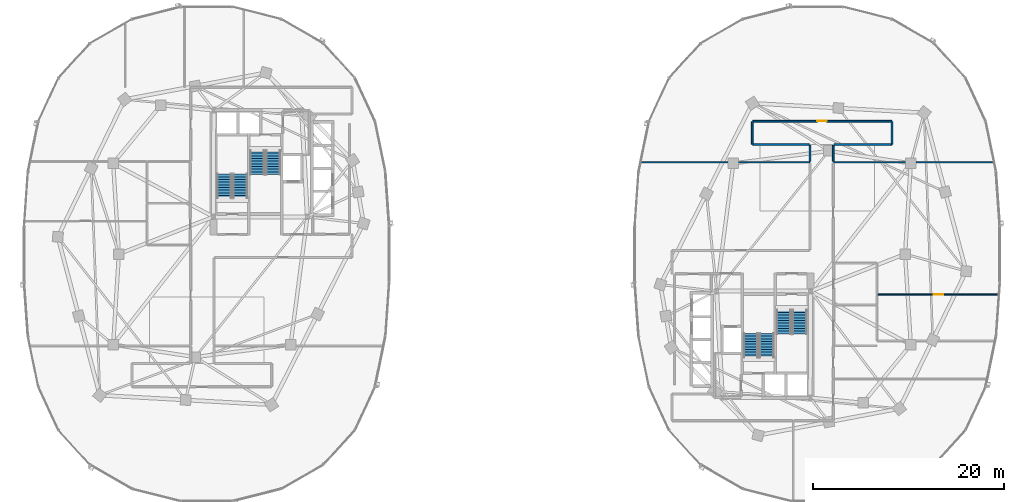
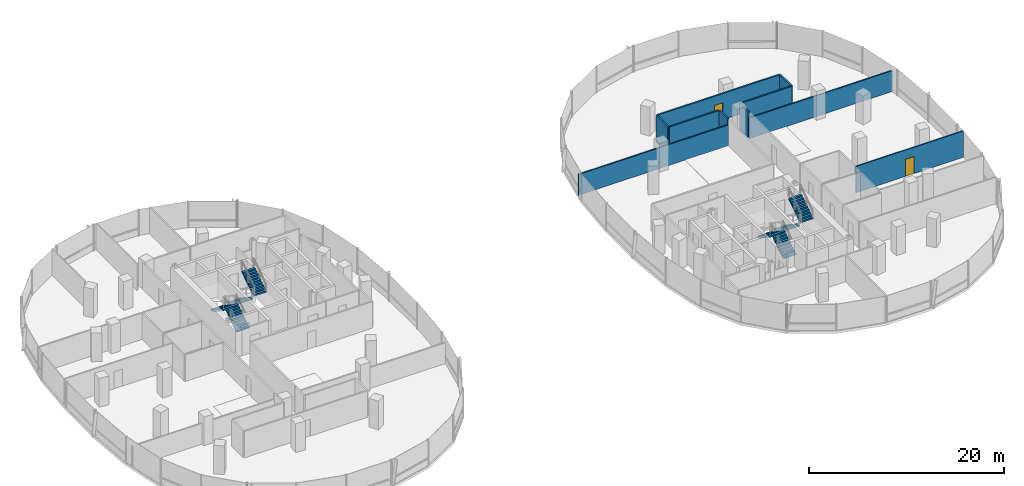
# One storey, part 14 of 21: 10 walls, 8 stair flights, 2 doors, 2 openings, 4 elements without a shape of their own.
"""IFC4 building model written with IfcOpenShell, lengths in metres."""

from ifc_helpers import new_model, si_unit, direction, frame, frame_2d, origin, place, context, subcontext, project, spatial, polyline, rectangle, outline, extrude, material, layer, layer_set, type_object, element, fill, aggregate, save


model = new_model("IFC4")

# Units and contexts
model_context = context("Model", 3, precision=1e-05, world=origin(), true_north=direction((0.0, 1.0)))
body_context = subcontext(model_context, "Body", "Model", "MODEL_VIEW")
ifc_project = project(units=[si_unit("LENGTHUNIT", "METRE"), si_unit("AREAUNIT", "SQUARE_METRE"), si_unit("VOLUMEUNIT", "CUBIC_METRE"), si_unit("PLANEANGLEUNIT", "RADIAN"), si_unit("MASSUNIT", "GRAM", prefix="KILO"), si_unit("THERMODYNAMICTEMPERATUREUNIT", "KELVIN"), si_unit("POWERUNIT", "WATT")], contexts=[model_context])

# Site, building, storey
site_placement = place(None, origin())
site = spatial("IfcSite", under=ifc_project, at=site_placement, CompositionType="ELEMENT")
building_placement = place(site_placement, origin())
building = spatial("IfcBuilding", under=site, at=building_placement, Name="Cundina Bronze Exchange", CompositionType="ELEMENT")
storey_placement = place(building_placement, frame((0.0, 0.0, 92.60009765625)))
storey = spatial("IfcBuildingStorey", under=building, at=storey_placement, Name="L23", CompositionType="ELEMENT", Elevation=92.60009765625)

# Wall, opening, door
ifc_material_1 = material(Name="Gypsum Fireboard Partition EI120")
ifc_layer_1 = layer(ifc_material_1, 0.179931640625, Name="Gypsum Fireboard Partition EI120")
ifc_layer_set_1 = layer_set([ifc_layer_1], Name="Gypsum Fireboard Partition EI120")
wall_type_1 = type_object("IfcWallType", Name="WL-COR-180", PredefinedType="PARTITIONING", material=ifc_layer_set_1)
wall_1_placement = place(storey_placement, frame((39.778564453125, 13.919921875, 0.0), z_axis=(0.0, 0.0, 1.0), x_axis=(-1.0, 0.0, 0.0)))
wall_1 = element("IfcWall", 1, at=wall_1_placement, inside=storey, type_object=wall_type_1, Name="L23 Interior Partition 067", PredefinedType="PARTITIONING", context=body_context, shape_type="SweptSolid", body=[
    extrude(rectangle(XDim=14.55712890625, YDim=0.179931640625, at=frame_2d((7.278564453125, 0.0))), origin(), (0.0, 0.0, 1.0), 3.2998046875),
])
opening_1_placement = place(wall_1_placement, frame((6.778564453125, 0.0, 0.0)))
opening_1 = element("IfcOpeningElement", 2, at=opening_1_placement, cuts=wall_1, Name="Opening DO-01", PredefinedType="OPENING", context=body_context, shape_type="SweptSolid", body=[
    extrude(rectangle(XDim=1.0, YDim=2.14990234375, at=frame_2d((0.5, 1.074951171875))), frame((0.0, 0.099853515625, 0.0), z_axis=(0.0, -1.0, 0.0), x_axis=(1.0, 0.0, 0.0)), (0.0, 0.0, 1.0), 0.199951171875),
])
ifc_material_2 = material(Name="Solid Andean Oak Timber Grade A", Category="wood")
door_type = type_object("IfcDoorType", Name="DR-OFF-1000", OperationType="NOTDEFINED", PredefinedType="DOOR", material=ifc_material_2)
door_1_placement = place(opening_1_placement, origin())
door_1 = element("IfcDoor", 3, at=door_1_placement, inside=storey, type_object=door_type, Name="L23 Interior Door 067", OperationType="SINGLE_SWING_LEFT", OverallHeight=2.14990234375, OverallWidth=1.0, PredefinedType="DOOR", context=body_context, shape_type="SweptSolid", body=[
    extrude(rectangle(XDim=1.0, YDim=2.14990234375, at=frame_2d((0.5, 1.074951171875))), frame((0.0, 0.02490234375, 0.0), z_axis=(0.0, -1.0, 0.0), x_axis=(1.0, 0.0, 0.0)), (0.0, 0.0, 1.0), 0.050048828125),
])
fill(opening_1, door_1)

# Walls
wall_2_placement = place(storey_placement, frame((33.75, 11.47998046875, 0.0), z_axis=(0.0, 0.0, 1.0), x_axis=(1.0, 0.0, 0.0)))
element("IfcWall", 4, at=wall_2_placement, inside=storey, type_object=wall_type_1, Name="L23 Interior Partition 068", PredefinedType="PARTITIONING", context=body_context, shape_type="SweptSolid", body=[
    extrude(rectangle(XDim=6.028564453125, YDim=0.179931640625, at=frame_2d((3.01416015625, 0.0))), origin(), (0.0, 0.0, 1.0), 3.2998046875),
])
wall_3_placement = place(storey_placement, frame((25.221435546875, 11.47998046875, 0.0), z_axis=(0.0, 0.0, 1.0), x_axis=(1.0, 0.0, 0.0)))
element("IfcWall", 5, at=wall_3_placement, inside=storey, type_object=wall_type_1, Name="L23 Interior Partition 069", PredefinedType="PARTITIONING", context=body_context, shape_type="SweptSolid", body=[
    extrude(rectangle(XDim=5.928466796875, YDim=0.179931640625, at=frame_2d((2.96435546875, 0.0))), origin(), (0.0, 0.0, 1.0), 3.2998046875),
])
for number, where, z_axis, x_axis, name in (
    (6, (39.820068359375, 11.521484375, 0.0), (0.0, 0.0, 1.0), (0.0, 1.0, 0.0), "L23 Interior Partition 070"),
    (7, (25.179931640625, 13.87841796875, 0.0), (0.0, 0.0, 1.0), (0.0, -1.0, 0.0), "L23 Interior Partition 071"),
):
    element("IfcWall", number, at=place(storey_placement, frame(where, z_axis=z_axis, x_axis=x_axis)), inside=storey, type_object=wall_type_1, Name=name, PredefinedType="PARTITIONING", context=body_context, shape_type="SweptSolid", body=[
        extrude(rectangle(XDim=2.35693359375, YDim=0.179931640625, at=frame_2d((1.178466796875, 0.0))), origin(), (0.0, 0.0, 1.0), 3.2998046875),
    ])
for number, where, z_axis, x_axis, name in (
    (8, (33.669921875, 9.7099609375, 0.0), (0.0, 0.0, 1.0), (0.0, 1.0, 0.0), "L23 Interior Partition 072"),
    (9, (31.22998046875, 11.39990234375, 0.0), (0.0, 0.0, 1.0), (0.0, -1.0, 0.0), "L23 Interior Partition 073"),
):
    element("IfcWall", number, at=place(storey_placement, frame(where, z_axis=z_axis, x_axis=x_axis)), inside=storey, type_object=wall_type_1, Name=name, PredefinedType="PARTITIONING", context=body_context, shape_type="SweptSolid", body=[
        extrude(rectangle(XDim=1.68994140625, YDim=0.179931640625, at=frame_2d((0.844970703125, 0.0))), origin(), (0.0, 0.0, 1.0), 3.2998046875),
    ])

# Wall, opening, door
ifc_material_3 = material(Name="Gypsum Acoustic Partition EI60")
ifc_layer_2 = layer(ifc_material_3, 0.125, Name="Gypsum Acoustic Partition EI60")
ifc_layer_set_2 = layer_set([ifc_layer_2], Name="Gypsum Acoustic Partition EI60")
wall_type_2 = type_object("IfcWallType", Name="WL-OFF-125", PredefinedType="PARTITIONING", material=ifc_layer_set_2)
wall_4_placement = place(storey_placement, frame((38.320068359375, -4.25, 0.0), z_axis=(0.0, 0.0, 1.0), x_axis=(1.0, 0.0, 0.0)))
wall_4 = element("IfcWall", 10, at=wall_4_placement, inside=storey, type_object=wall_type_2, Name="L23 Interior Partition 074", PredefinedType="PARTITIONING", context=body_context, shape_type="SweptSolid", body=[
    extrude(rectangle(XDim=12.736572265625, YDim=0.125, at=frame_2d((6.3681640625, 0.0))), origin(), (0.0, 0.0, 1.0), 3.2998046875),
])
opening_2_placement = place(wall_4_placement, frame((5.868408203125, 0.0, 0.0)))
opening_2 = element("IfcOpeningElement", 11, at=opening_2_placement, cuts=wall_4, Name="Opening DO-01", PredefinedType="OPENING", context=body_context, shape_type="SweptSolid", body=[
    extrude(rectangle(XDim=1.0, YDim=2.14990234375, at=frame_2d((0.5, 1.074951171875))), frame((0.0, 0.072509765625, 0.0), z_axis=(0.0, -1.0, 0.0), x_axis=(1.0, 0.0, 0.0)), (0.0, 0.0, 1.0), 0.14501953125),
])
door_2_placement = place(opening_2_placement, origin())
door_2 = element("IfcDoor", 12, at=door_2_placement, inside=storey, type_object=door_type, Name="L23 Interior Door 074", OperationType="SINGLE_SWING_LEFT", OverallHeight=2.14990234375, OverallWidth=1.0, PredefinedType="DOOR", context=body_context, shape_type="SweptSolid", body=[
    extrude(rectangle(XDim=1.0, YDim=2.14990234375, at=frame_2d((0.5, 1.074951171875))), frame((0.0, 0.02490234375, 0.0), z_axis=(0.0, -1.0, 0.0), x_axis=(1.0, 0.0, 0.0)), (0.0, 0.0, 1.0), 0.050048828125),
])
fill(opening_2, door_2)

# Walls
ifc_layer_3 = layer(ifc_material_3, 0.14990234375, Name="Gypsum Acoustic Partition EI60")
ifc_layer_set_3 = layer_set([ifc_layer_3], Name="Gypsum Acoustic Partition EI60")
wall_type_3 = type_object("IfcWallType", Name="WL-TEN-150", PredefinedType="PARTITIONING", material=ifc_layer_set_3)
wall_5_placement = place(storey_placement, frame((13.39453125, 9.6201171875, 0.0), z_axis=(0.0, 0.0, 1.0), x_axis=(1.0, 0.0, 0.0)))
element("IfcWall", 13, at=wall_5_placement, inside=storey, type_object=wall_type_3, Name="L23 Interior Partition 052", PredefinedType="PARTITIONING", context=body_context, shape_type="SweptSolid", body=[
    extrude(rectangle(XDim=17.805419921875, YDim=0.14990234375, at=frame_2d((8.90283203125, 0.0))), origin(), (0.0, 0.0, 1.0), 2.60498046875),
])
wall_6_placement = place(storey_placement, frame((33.699951171875, 9.6201171875, 0.0), z_axis=(0.0, 0.0, 1.0), x_axis=(1.0, 0.0, 0.0)))
element("IfcWall", 14, at=wall_6_placement, inside=storey, type_object=wall_type_3, Name="L23 Interior Partition 053", PredefinedType="PARTITIONING", context=body_context, shape_type="SweptSolid", body=[
    extrude(rectangle(XDim=16.905517578125, YDim=0.14990234375, at=frame_2d((8.45263671875, 0.0))), origin(), (0.0, 0.0, 1.0), 2.60498046875),
])

# Stair, stair flights
ifc_material_4 = material(Name="Concrete C40/50", Category="concrete")
stair_type = type_object("IfcStairType", Name="STR-OFF-360", PredefinedType="HALF_TURN_STAIR", material=ifc_material_4)
stair_1_placement = place(storey_placement, origin())
stair_1 = element("IfcStair", 15, at=stair_1_placement, inside=storey, type_object=stair_type, Name="L23 Smokeproof Exit Stair W1", PredefinedType="HALF_TURN_STAIR")
stair_flight_type = type_object("IfcStairFlightType", Name="FLG-OFF-180", PredefinedType="STRAIGHT", material=ifc_material_4)
stair_flight_1_placement = place(storey_placement, frame((-28.489990234375, 5.85009765625, 0.0), z_axis=(0.0, 0.0, 1.0), x_axis=(0.0, 1.0, 0.0)))
stair_flight_1 = element("IfcStairFlight", 16, at=stair_flight_1_placement, type_object=stair_flight_type, Name="ST-W1 flight 1", NumberOfRisers=10, NumberOfTreads=9, PredefinedType="STRAIGHT", RiserHeight=0.18, TreadLength=0.28, context=body_context, shape_type="SweptSolid", body=[
    extrude(outline(polyline([(0.0, 0.0), (0.0, 0.179931640625), (0.280029296875, 0.179931640625), (0.280029296875, 0.360107421875), (0.56005859375, 0.360107421875), (0.56005859375, 0.5400390625), (0.840087890625, 0.5400390625), (0.840087890625, 0.719970703125), (1.1201171875, 0.719970703125), (1.1201171875, 0.89990234375), (1.39990234375, 0.89990234375), (1.39990234375, 1.080078125), (1.679931640625, 1.080078125), (1.679931640625, 1.260009765625), (1.9599609375, 1.260009765625), (1.9599609375, 1.43994140625), (2.239990234375, 1.43994140625), (2.239990234375, 1.6201171875), (2.52001953125, 1.6201171875), (2.52001953125, 1.800048828125), (2.52001953125, 1.44189453125), (0.277099609375, 0.0), (0.0, 0.0)])), frame((0.0, 0.75, 0.0), z_axis=(0.0, -1.0, 0.0), x_axis=(1.0, 0.0, 0.0)), (0.0, 0.0, 1.0), 1.5),
])
stair_flight_2_placement = place(storey_placement, frame((-30.14990234375, 8.3701171875, 1.7998046875), z_axis=(0.0, 0.0, 1.0), x_axis=(0.0, -1.0, 0.0)))
stair_flight_2 = element("IfcStairFlight", 17, at=stair_flight_2_placement, type_object=stair_flight_type, Name="ST-W1 flight 2", NumberOfRisers=10, NumberOfTreads=9, PredefinedType="STRAIGHT", RiserHeight=0.18, TreadLength=0.28, context=body_context, shape_type="SweptSolid", body=[
    extrude(outline(polyline([(0.0, 0.0), (0.0, 0.179931640625), (0.280029296875, 0.179931640625), (0.280029296875, 0.360107421875), (0.56005859375, 0.360107421875), (0.56005859375, 0.5400390625), (0.840087890625, 0.5400390625), (0.840087890625, 0.719970703125), (1.1201171875, 0.719970703125), (1.1201171875, 0.89990234375), (1.39990234375, 0.89990234375), (1.39990234375, 1.080078125), (1.679931640625, 1.080078125), (1.679931640625, 1.260009765625), (1.9599609375, 1.260009765625), (1.9599609375, 1.43994140625), (2.239990234375, 1.43994140625), (2.239990234375, 1.6201171875), (2.52001953125, 1.6201171875), (2.52001953125, 1.800048828125), (2.52001953125, 1.44189453125), (0.277099609375, 0.0), (0.0, 0.0)])), frame((0.0, 0.75, 0.0), z_axis=(0.0, -1.0, 0.0), x_axis=(1.0, 0.0, 0.0)), (0.0, 0.0, 1.0), 1.5),
])
aggregate(stair_1, [stair_flight_1, stair_flight_2])

stair_2_placement = place(storey_placement, origin())
stair_2 = element("IfcStair", 18, at=stair_2_placement, inside=storey, type_object=stair_type, Name="L23 Smokeproof Exit Stair W2", PredefinedType="HALF_TURN_STAIR")
stair_flight_3_placement = place(storey_placement, frame((-26.68994140625, 10.85009765625, 0.0), z_axis=(0.0, 0.0, 1.0), x_axis=(0.0, -1.0, 0.0)))
stair_flight_3 = element("IfcStairFlight", 19, at=stair_flight_3_placement, type_object=stair_flight_type, Name="ST-W2 flight 1", NumberOfRisers=10, NumberOfTreads=9, PredefinedType="STRAIGHT", RiserHeight=0.18, TreadLength=0.28, context=body_context, shape_type="SweptSolid", body=[
    extrude(outline(polyline([(0.0, 0.0), (0.0, 0.179931640625), (0.280029296875, 0.179931640625), (0.280029296875, 0.360107421875), (0.56005859375, 0.360107421875), (0.56005859375, 0.5400390625), (0.840087890625, 0.5400390625), (0.840087890625, 0.719970703125), (1.1201171875, 0.719970703125), (1.1201171875, 0.89990234375), (1.39990234375, 0.89990234375), (1.39990234375, 1.080078125), (1.679931640625, 1.080078125), (1.679931640625, 1.260009765625), (1.9599609375, 1.260009765625), (1.9599609375, 1.43994140625), (2.239990234375, 1.43994140625), (2.239990234375, 1.6201171875), (2.52001953125, 1.6201171875), (2.52001953125, 1.800048828125), (2.52001953125, 1.44189453125), (0.277099609375, 0.0), (0.0, 0.0)])), frame((0.0, 0.75, 0.0), z_axis=(0.0, -1.0, 0.0), x_axis=(1.0, 0.0, 0.0)), (0.0, 0.0, 1.0), 1.5),
])
stair_flight_4_placement = place(storey_placement, frame((-25.030029296875, 8.330078125, 1.7998046875), z_axis=(0.0, 0.0, 1.0), x_axis=(0.0, 1.0, 0.0)))
stair_flight_4 = element("IfcStairFlight", 20, at=stair_flight_4_placement, type_object=stair_flight_type, Name="ST-W2 flight 2", NumberOfRisers=10, NumberOfTreads=9, PredefinedType="STRAIGHT", RiserHeight=0.18, TreadLength=0.28, context=body_context, shape_type="SweptSolid", body=[
    extrude(outline(polyline([(0.0, 0.0), (0.0, 0.179931640625), (0.280029296875, 0.179931640625), (0.280029296875, 0.360107421875), (0.56005859375, 0.360107421875), (0.56005859375, 0.5400390625), (0.840087890625, 0.5400390625), (0.840087890625, 0.719970703125), (1.1201171875, 0.719970703125), (1.1201171875, 0.89990234375), (1.39990234375, 0.89990234375), (1.39990234375, 1.080078125), (1.679931640625, 1.080078125), (1.679931640625, 1.260009765625), (1.9599609375, 1.260009765625), (1.9599609375, 1.43994140625), (2.239990234375, 1.43994140625), (2.239990234375, 1.6201171875), (2.52001953125, 1.6201171875), (2.52001953125, 1.800048828125), (2.52001953125, 1.44189453125), (0.277099609375, 0.0), (0.0, 0.0)])), frame((0.0, 0.75, 0.0), z_axis=(0.0, -1.0, 0.0), x_axis=(1.0, 0.0, 0.0)), (0.0, 0.0, 1.0), 1.5),
])
aggregate(stair_2, [stair_flight_3, stair_flight_4])

stair_3_placement = place(storey_placement, origin())
stair_3 = element("IfcStair", 21, at=stair_3_placement, inside=storey, type_object=stair_type, Name="L23 Smokeproof Exit Stair E1", PredefinedType="HALF_TURN_STAIR")
stair_flight_5_placement = place(storey_placement, frame((28.489990234375, -5.85009765625, 0.0), z_axis=(0.0, 0.0, 1.0), x_axis=(0.0, -1.0, 0.0)))
stair_flight_5 = element("IfcStairFlight", 22, at=stair_flight_5_placement, type_object=stair_flight_type, Name="ST-E1 flight 1", NumberOfRisers=10, NumberOfTreads=9, PredefinedType="STRAIGHT", RiserHeight=0.18, TreadLength=0.28, context=body_context, shape_type="SweptSolid", body=[
    extrude(outline(polyline([(0.0, 0.0), (0.0, 0.179931640625), (0.280029296875, 0.179931640625), (0.280029296875, 0.360107421875), (0.56005859375, 0.360107421875), (0.56005859375, 0.5400390625), (0.840087890625, 0.5400390625), (0.840087890625, 0.719970703125), (1.1201171875, 0.719970703125), (1.1201171875, 0.89990234375), (1.39990234375, 0.89990234375), (1.39990234375, 1.080078125), (1.679931640625, 1.080078125), (1.679931640625, 1.260009765625), (1.9599609375, 1.260009765625), (1.9599609375, 1.43994140625), (2.239990234375, 1.43994140625), (2.239990234375, 1.6201171875), (2.52001953125, 1.6201171875), (2.52001953125, 1.800048828125), (2.52001953125, 1.44189453125), (0.277099609375, 0.0), (0.0, 0.0)])), frame((0.0, 0.75, 0.0), z_axis=(0.0, -1.0, 0.0), x_axis=(1.0, 0.0, 0.0)), (0.0, 0.0, 1.0), 1.5),
])
stair_flight_6_placement = place(storey_placement, frame((30.14990234375, -8.3701171875, 1.7998046875), z_axis=(0.0, 0.0, 1.0), x_axis=(0.0, 1.0, 0.0)))
stair_flight_6 = element("IfcStairFlight", 23, at=stair_flight_6_placement, type_object=stair_flight_type, Name="ST-E1 flight 2", NumberOfRisers=10, NumberOfTreads=9, PredefinedType="STRAIGHT", RiserHeight=0.18, TreadLength=0.28, context=body_context, shape_type="SweptSolid", body=[
    extrude(outline(polyline([(0.0, 0.0), (0.0, 0.179931640625), (0.280029296875, 0.179931640625), (0.280029296875, 0.360107421875), (0.56005859375, 0.360107421875), (0.56005859375, 0.5400390625), (0.840087890625, 0.5400390625), (0.840087890625, 0.719970703125), (1.1201171875, 0.719970703125), (1.1201171875, 0.89990234375), (1.39990234375, 0.89990234375), (1.39990234375, 1.080078125), (1.679931640625, 1.080078125), (1.679931640625, 1.260009765625), (1.9599609375, 1.260009765625), (1.9599609375, 1.43994140625), (2.239990234375, 1.43994140625), (2.239990234375, 1.6201171875), (2.52001953125, 1.6201171875), (2.52001953125, 1.800048828125), (2.52001953125, 1.44189453125), (0.277099609375, 0.0), (0.0, 0.0)])), frame((0.0, 0.75, 0.0), z_axis=(0.0, -1.0, 0.0), x_axis=(1.0, 0.0, 0.0)), (0.0, 0.0, 1.0), 1.5),
])
aggregate(stair_3, [stair_flight_5, stair_flight_6])

stair_4_placement = place(storey_placement, origin())
stair_4 = element("IfcStair", 24, at=stair_4_placement, inside=storey, type_object=stair_type, Name="L23 Smokeproof Exit Stair E2", PredefinedType="HALF_TURN_STAIR")
stair_flight_7_placement = place(storey_placement, frame((26.68994140625, -10.85009765625, 0.0), z_axis=(0.0, 0.0, 1.0), x_axis=(0.0, 1.0, 0.0)))
stair_flight_7 = element("IfcStairFlight", 25, at=stair_flight_7_placement, type_object=stair_flight_type, Name="ST-E2 flight 1", NumberOfRisers=10, NumberOfTreads=9, PredefinedType="STRAIGHT", RiserHeight=0.18, TreadLength=0.28, context=body_context, shape_type="SweptSolid", body=[
    extrude(outline(polyline([(0.0, 0.0), (0.0, 0.179931640625), (0.280029296875, 0.179931640625), (0.280029296875, 0.360107421875), (0.56005859375, 0.360107421875), (0.56005859375, 0.5400390625), (0.840087890625, 0.5400390625), (0.840087890625, 0.719970703125), (1.1201171875, 0.719970703125), (1.1201171875, 0.89990234375), (1.39990234375, 0.89990234375), (1.39990234375, 1.080078125), (1.679931640625, 1.080078125), (1.679931640625, 1.260009765625), (1.9599609375, 1.260009765625), (1.9599609375, 1.43994140625), (2.239990234375, 1.43994140625), (2.239990234375, 1.6201171875), (2.52001953125, 1.6201171875), (2.52001953125, 1.800048828125), (2.52001953125, 1.44189453125), (0.277099609375, 0.0), (0.0, 0.0)])), frame((0.0, 0.75, 0.0), z_axis=(0.0, -1.0, 0.0), x_axis=(1.0, 0.0, 0.0)), (0.0, 0.0, 1.0), 1.5),
])
stair_flight_8_placement = place(storey_placement, frame((25.030029296875, -8.330078125, 1.7998046875), z_axis=(0.0, 0.0, 1.0), x_axis=(0.0, -1.0, 0.0)))
stair_flight_8 = element("IfcStairFlight", 26, at=stair_flight_8_placement, type_object=stair_flight_type, Name="ST-E2 flight 2", NumberOfRisers=10, NumberOfTreads=9, PredefinedType="STRAIGHT", RiserHeight=0.18, TreadLength=0.28, context=body_context, shape_type="SweptSolid", body=[
    extrude(outline(polyline([(0.0, 0.0), (0.0, 0.179931640625), (0.280029296875, 0.179931640625), (0.280029296875, 0.360107421875), (0.56005859375, 0.360107421875), (0.56005859375, 0.5400390625), (0.840087890625, 0.5400390625), (0.840087890625, 0.719970703125), (1.1201171875, 0.719970703125), (1.1201171875, 0.89990234375), (1.39990234375, 0.89990234375), (1.39990234375, 1.080078125), (1.679931640625, 1.080078125), (1.679931640625, 1.260009765625), (1.9599609375, 1.260009765625), (1.9599609375, 1.43994140625), (2.239990234375, 1.43994140625), (2.239990234375, 1.6201171875), (2.52001953125, 1.6201171875), (2.52001953125, 1.800048828125), (2.52001953125, 1.44189453125), (0.277099609375, 0.0), (0.0, 0.0)])), frame((0.0, 0.75, 0.0), z_axis=(0.0, -1.0, 0.0), x_axis=(1.0, 0.0, 0.0)), (0.0, 0.0, 1.0), 1.5),
])
aggregate(stair_4, [stair_flight_7, stair_flight_8])

save(model, "model.ifc")
